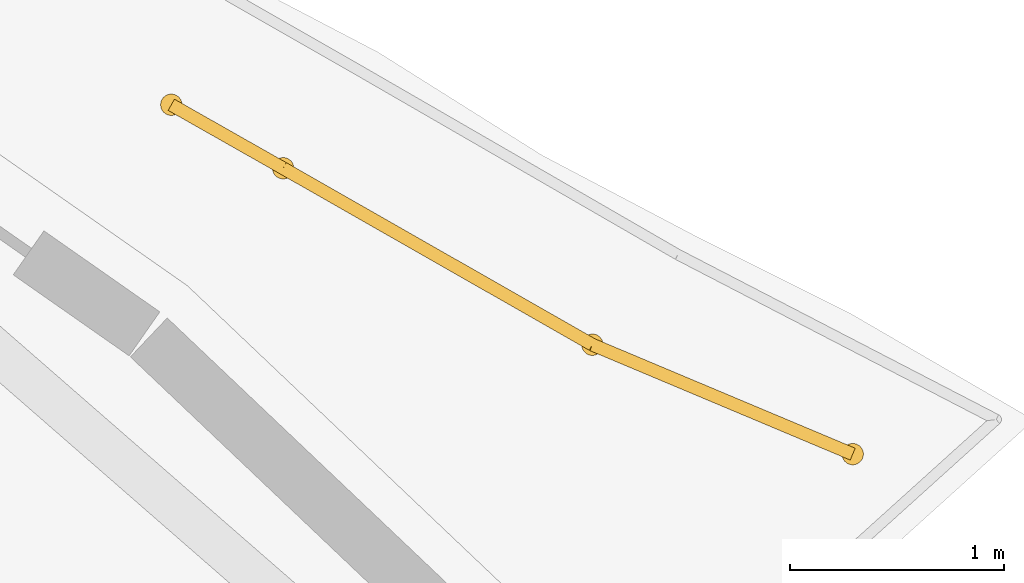
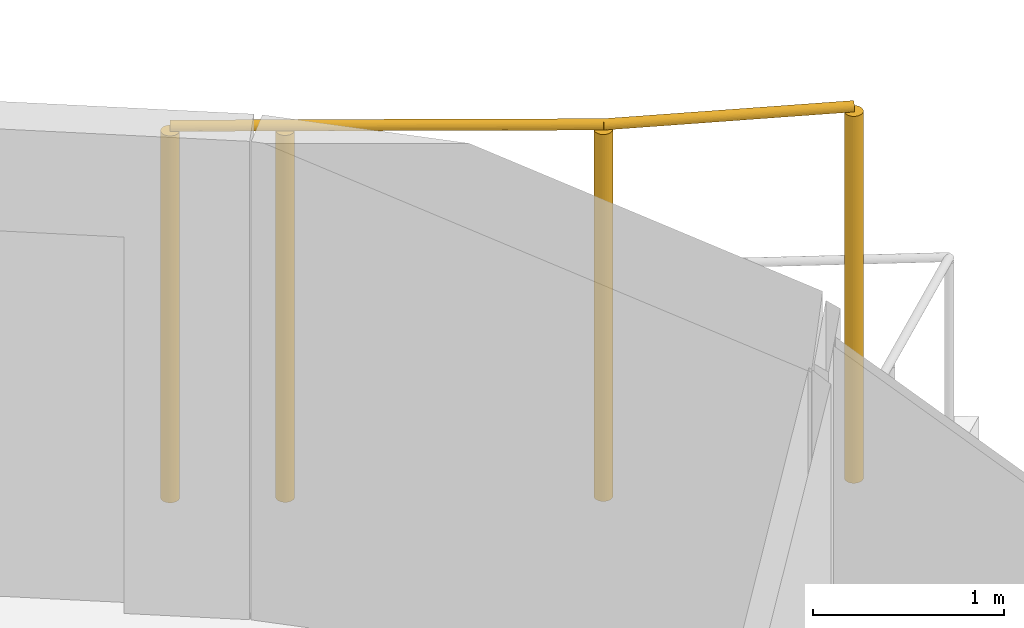
# One storey, part 15 of 15: 1 railing.
"""IFC4 building model written with IfcOpenShell, lengths in metres."""

from ifc_helpers import new_model, si_unit, direction, frame, origin, origin_2d, place, context, subcontext, project, spatial, circle, extrude, material, type_object, element, save


model = new_model("IFC4")

# Units and contexts
model_context = context("Model", 3, precision=1e-05, world=origin(), true_north=direction((0.0, 1.0)))
body_context = subcontext(model_context, "Body", "Model", "MODEL_VIEW")
ifc_project = project(units=[si_unit("LENGTHUNIT", "METRE"), si_unit("AREAUNIT", "SQUARE_METRE"), si_unit("VOLUMEUNIT", "CUBIC_METRE"), si_unit("PLANEANGLEUNIT", "RADIAN"), si_unit("MASSUNIT", "GRAM", prefix="KILO")], contexts=[model_context])

# Site, building, storey
site_placement = place(None, origin())
site = spatial("IfcSite", under=ifc_project, at=site_placement, CompositionType="ELEMENT")
building_placement = place(site_placement, origin())
building = spatial("IfcBuilding", under=site, at=building_placement, Name="Vermilion Reach Broadcast Tower", CompositionType="ELEMENT")
storey_placement = place(building_placement, frame((0.0, 0.0, 128.199951171875)))
storey = spatial("IfcBuildingStorey", under=building, at=storey_placement, Name="L30", CompositionType="ELEMENT", Elevation=128.199951171875)

# Railing
ifc_material = material(Name="Terracotta baguette", Category="masonry")
railing_type = type_object("IfcRailingType", Name="BAGUETTE SCREEN", PredefinedType="USERDEFINED", material=ifc_material)
railing_placement = place(storey_placement, frame((17.4775390625, 18.042724609375, 0.0)))
element("IfcRailing", 1, at=railing_placement, inside=storey, type_object=railing_type, Name="Baguette screen L30 group 1 part 1", ObjectType="BAGUETTE SCREEN", PredefinedType="USERDEFINED", context=body_context, shape_type="SweptSolid", body=[
    extrude(circle(Radius=0.030029296875, at=origin_2d()), frame((0.0, 0.0, 2.369873046875), z_axis=(-0.921861754544, 0.387518909873, 0.0), x_axis=(-0.387518909873, -0.921861754544, 0.0)), (0.0, 0.0, 1.0), 1.318603515625),
    extrude(circle(Radius=0.030029296875, at=origin_2d()), frame((-1.215576171875, 0.510986328125, 2.369873046875), z_axis=(-0.868523165172, 0.495648576675, 0.0), x_axis=(-0.495648576675, -0.868523165172, 0.0)), (0.0, 0.0, 1.0), 1.662353515625),
    extrude(circle(Radius=0.030029296875, at=origin_2d()), frame((-2.659423828125, 1.3349609375, 2.369873046875), z_axis=(-0.869789640235, 0.493422721143, 0.0), x_axis=(-0.493422721143, -0.869789640235, 0.0)), (0.0, 0.0, 1.0), 0.6005859375),
    extrude(circle(Radius=0.050048828125, at=origin_2d()), origin(), (0.0, 0.0, 1.0), 2.33984375),
    extrude(circle(Radius=0.050048828125, at=origin_2d()), frame((-1.215576171875, 0.510986328125, 0.0)), (0.0, 0.0, 1.0), 2.33984375),
    extrude(circle(Radius=0.050048828125, at=origin_2d()), frame((-2.659423828125, 1.3349609375, 0.0)), (0.0, 0.0, 1.0), 2.33984375),
    extrude(circle(Radius=0.050048828125, at=origin_2d()), frame((-3.181884765625, 1.63134765625, 0.0)), (0.0, 0.0, 1.0), 2.33984375),
])

save(model, "model.ifc")
